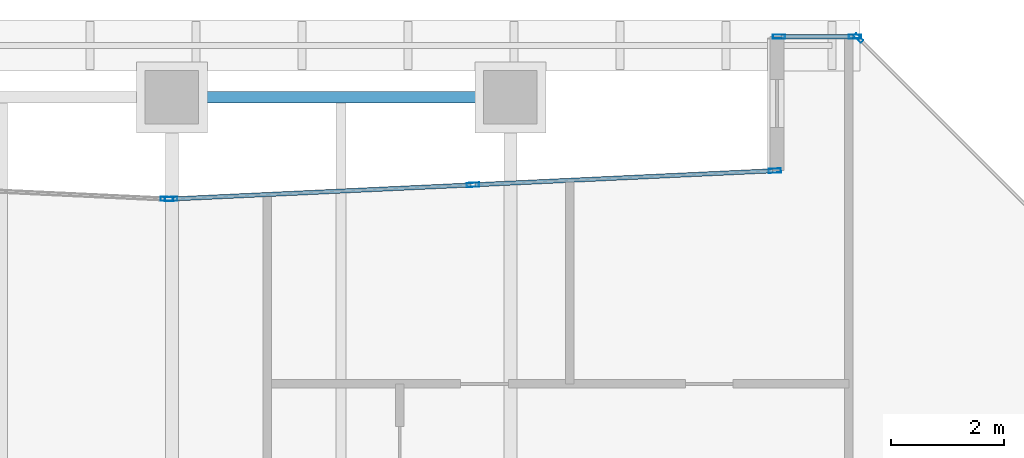
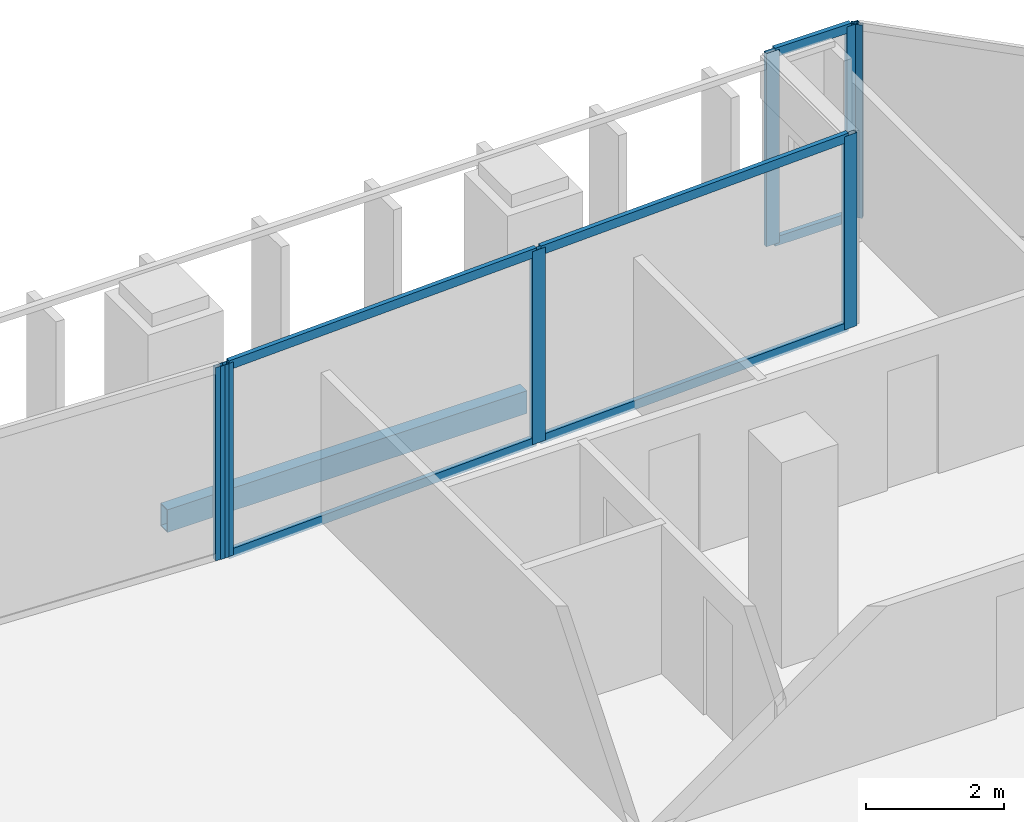
# One storey, part 24 of 39: 13 members, 1 beam, 4 elements without a shape of their own.
"""IFC4 building model written with IfcOpenShell, lengths in metres."""

from ifc_helpers import new_model, si_unit, direction, frame, origin, origin_2d, place, context, subcontext, project, spatial, hollow_rectangle, extrude, material, layer, layer_set, material_profile, profile_set, type_object, element, aggregate, save


model = new_model("IFC4")

# Units and contexts
model_context = context("Model", 3, precision=1e-05, world=origin(), true_north=direction((0.0, 1.0)))
body_context = subcontext(model_context, "Body", "Model", "MODEL_VIEW")
ifc_project = project(units=[si_unit("LENGTHUNIT", "METRE"), si_unit("AREAUNIT", "SQUARE_METRE"), si_unit("VOLUMEUNIT", "CUBIC_METRE"), si_unit("PLANEANGLEUNIT", "RADIAN"), si_unit("MASSUNIT", "GRAM", prefix="KILO")], contexts=[model_context])

# Site, building, storey
site_placement = place(None, origin())
site = spatial("IfcSite", under=ifc_project, at=site_placement, CompositionType="ELEMENT")
building_placement = place(site_placement, origin())
building = spatial("IfcBuilding", under=site, at=building_placement, Name="Tanjung Sevakor Pilgrim Tower", CompositionType="ELEMENT")
storey_placement = place(building_placement, frame((0.0, 0.0, 112.199951171875)))
storey = spatial("IfcBuildingStorey", under=building, at=storey_placement, Name="L31", CompositionType="ELEMENT", Elevation=112.199951171875)

# Beam
ifc_material_1 = material(Name="Steel S355J2", Category="steel")
ifc_material_profile_1 = material_profile(ifc_material_1, hollow_rectangle(XDim=0.199951171875, YDim=0.39990234375, WallThickness=0.01611328125, at=origin_2d()))
ifc_profile_set_1 = profile_set([ifc_material_profile_1], Name="Steel S355J2")
beam_type = type_object("IfcBeamType", Name="BM-B-SP2-RHS_400x200x16", PredefinedType="SPANDREL", material=ifc_profile_set_1)
beam_placement = place(storey_placement, frame((84.0, 56.39990234375, -0.419921875), z_axis=(1.0, 0.0, 0.0), x_axis=(0.0, 1.0, 0.0)))
element("IfcBeam", 1, at=beam_placement, inside=storey, type_object=beam_type, Name="L31 Spandrel MAIN N-18", PredefinedType="SPANDREL", context=body_context, shape_type="SweptSolid", body=[
    extrude(hollow_rectangle(XDim=0.199951171875, YDim=0.39990234375, WallThickness=0.01611328125, at=origin_2d()), origin(), (0.0, 0.0, 1.0), 6.0),
])

# Curtain wall, member
ifc_material_2 = material(Name="Aluminium 6063-T6 and Low-E Glass", Category="aluminium")
ifc_layer_1 = layer(ifc_material_2, 0.179931640625)
ifc_layer_set_1 = layer_set([ifc_layer_1], Name="CW-SYS-CHAM")
curtain_wall_type_1 = type_object("IfcCurtainWallType", Name="CW-SYS-CHAM", PredefinedType="NOTDEFINED", material=ifc_layer_set_1)
curtain_wall_1_placement = place(storey_placement, origin())
curtain_wall_1 = element("IfcCurtainWall", 2, at=curtain_wall_1_placement, inside=storey, type_object=curtain_wall_type_1, Name="L31 Curtain Wall CW-CHM-L31-MAIN-17", PredefinedType="NOTDEFINED")
ifc_material_3 = material(Name="Aluminium 6063-T6", Category="aluminium")
ifc_material_profile_2 = material_profile(ifc_material_3, hollow_rectangle(XDim=0.06494140625, YDim=0.179931640625, WallThickness=0.00390625, at=origin_2d()))
ifc_profile_set_2 = profile_set([ifc_material_profile_2], Name="Aluminium 6063-T6")
member_type_1 = type_object("IfcMemberType", Name="TYPE-CWM-1", PredefinedType="MULLION", material=ifc_profile_set_2)
member_1_placement = place(storey_placement, frame((96.171142578125, 57.451904296875, 0.0), z_axis=(0.0, 0.0, 1.0), x_axis=(-0.707106781187, -0.707106781187, 0.0)))
member_1 = element("IfcMember", 3, at=member_1_placement, type_object=member_type_1, Name="CW-CHM mullion 2", PredefinedType="MULLION", context=body_context, shape_type="SweptSolid", body=[
    extrude(hollow_rectangle(XDim=0.06494140625, YDim=0.179931640625, WallThickness=0.00390625, at=origin_2d()), origin(), (0.0, 0.0, 1.0), 3.41015625),
])
aggregate(curtain_wall_1, [member_1])

# Curtain wall, members
ifc_material_4 = material(Name="Aluminium 6063-T6 and Low-E Glass", Category="aluminium")
ifc_layer_2 = layer(ifc_material_4, 0.199951171875)
ifc_layer_set_2 = layer_set([ifc_layer_2], Name="CW-SYS-PRAY")
curtain_wall_type_2 = type_object("IfcCurtainWallType", Name="CW-SYS-PRAY", PredefinedType="NOTDEFINED", material=ifc_layer_set_2)
curtain_wall_2_placement = place(storey_placement, origin())
curtain_wall_2 = element("IfcCurtainWall", 4, at=curtain_wall_2_placement, inside=storey, type_object=curtain_wall_type_2, Name="L31 Curtain Wall CW-PRY-L31-18", PredefinedType="NOTDEFINED")
ifc_material_5 = material(Name="Aluminium 6063-T6", Category="aluminium")
ifc_material_profile_3 = material_profile(ifc_material_5, hollow_rectangle(XDim=0.074951171875, YDim=0.219970703125, WallThickness=0.0048828125, at=origin_2d()))
ifc_profile_set_3 = profile_set([ifc_material_profile_3], Name="Aluminium 6063-T6")
member_type_2 = type_object("IfcMemberType", Name="TYPE-CWM-2", PredefinedType="MULLION", material=ifc_profile_set_3)
member_2_placement = place(storey_placement, frame((96.110595703125, 57.47509765625, 0.0), z_axis=(0.0, 0.0, 1.0), x_axis=(0.0, -1.0, 0.0)))
member_2 = element("IfcMember", 5, at=member_2_placement, type_object=member_type_2, Name="CW-PRY mullion 1", PredefinedType="MULLION", context=body_context, shape_type="SweptSolid", body=[
    extrude(hollow_rectangle(XDim=0.074951171875, YDim=0.219970703125, WallThickness=0.0048828125, at=origin_2d()), origin(), (0.0, 0.0, 1.0), 3.41015625),
])
member_3_placement = place(storey_placement, frame((94.762451171875, 57.47509765625, 0.0), z_axis=(0.0, 0.0, 1.0), x_axis=(0.0, -1.0, 0.0)))
member_3 = element("IfcMember", 6, at=member_3_placement, type_object=member_type_2, Name="CW-PRY mullion 2", PredefinedType="MULLION", context=body_context, shape_type="SweptSolid", body=[
    extrude(hollow_rectangle(XDim=0.074951171875, YDim=0.219970703125, WallThickness=0.0048828125, at=origin_2d()), origin(), (0.0, 0.0, 1.0), 3.41015625),
])

curtain_wall_3_placement = place(storey_placement, origin())
curtain_wall_3 = element("IfcCurtainWall", 7, at=curtain_wall_3_placement, inside=storey, type_object=curtain_wall_type_2, Name="L31 Curtain Wall CW-PRY-L31-20", PredefinedType="NOTDEFINED")
member_4_placement = place(storey_placement, frame((94.6875, 55.098876953125, 0.0), z_axis=(0.0, 0.0, 1.0), x_axis=(0.046890361139, -0.998900042062, 0.0)))
member_4 = element("IfcMember", 8, at=member_4_placement, type_object=member_type_2, Name="CW-PRY mullion 1", PredefinedType="MULLION", context=body_context, shape_type="SweptSolid", body=[
    extrude(hollow_rectangle(XDim=0.074951171875, YDim=0.219970703125, WallThickness=0.0048828125, at=origin_2d()), origin(), (0.0, 0.0, 1.0), 3.41015625),
])
member_5_placement = place(storey_placement, frame((89.33740234375, 54.847900390625, 0.0), z_axis=(0.0, 0.0, 1.0), x_axis=(0.046890361139, -0.998900042062, 0.0)))
member_5 = element("IfcMember", 9, at=member_5_placement, type_object=member_type_2, Name="CW-PRY mullion 2", PredefinedType="MULLION", context=body_context, shape_type="SweptSolid", body=[
    extrude(hollow_rectangle(XDim=0.074951171875, YDim=0.219970703125, WallThickness=0.0048828125, at=origin_2d()), origin(), (0.0, 0.0, 1.0), 3.41015625),
])
member_6_placement = place(storey_placement, frame((83.987548828125, 54.5966796875, 0.0), z_axis=(0.0, 0.0, 1.0), x_axis=(0.046890361139, -0.998900042062, 0.0)))
member_6 = element("IfcMember", 10, at=member_6_placement, type_object=member_type_2, Name="CW-PRY mullion 3", PredefinedType="MULLION", context=body_context, shape_type="SweptSolid", body=[
    extrude(hollow_rectangle(XDim=0.074951171875, YDim=0.219970703125, WallThickness=0.0048828125, at=origin_2d()), origin(), (0.0, 0.0, 1.0), 3.41015625),
])

# Curtain wall, member
curtain_wall_4_placement = place(storey_placement, origin())
curtain_wall_4 = element("IfcCurtainWall", 11, at=curtain_wall_4_placement, inside=storey, type_object=curtain_wall_type_2, Name="L31 Curtain Wall CW-PRY-L31-21", PredefinedType="NOTDEFINED")
member_7_placement = place(storey_placement, frame((83.91259765625, 54.5966796875, 0.0), z_axis=(0.0, 0.0, 1.0), x_axis=(-0.046889499825, -0.998900082494, 0.0)))
member_7 = element("IfcMember", 12, at=member_7_placement, type_object=member_type_2, Name="CW-PRY mullion 1", PredefinedType="MULLION", context=body_context, shape_type="SweptSolid", body=[
    extrude(hollow_rectangle(XDim=0.074951171875, YDim=0.219970703125, WallThickness=0.0048828125, at=origin_2d()), origin(), (0.0, 0.0, 1.0), 3.41015625),
])
aggregate(curtain_wall_4, [member_7])

# Member
ifc_material_6 = material(Name="Aluminium 6063-T6", Category="aluminium")
ifc_material_profile_4 = material_profile(ifc_material_6, hollow_rectangle(XDim=0.074951171875, YDim=0.159912109375, WallThickness=0.00439453125, at=origin_2d()))
ifc_profile_set_4 = profile_set([ifc_material_profile_4], Name="Aluminium 6063-T6")
member_type_3 = type_object("IfcMemberType", Name="TYPE-CWT-2", PredefinedType="USERDEFINED", material=ifc_profile_set_4)
member_8_placement = place(storey_placement, frame((96.0732421875, 57.47509765625, 0.03759765625), z_axis=(-1.0, 0.0, 0.0), x_axis=(0.0, -1.0, 0.0)))
member_8 = element("IfcMember", 13, at=member_8_placement, type_object=member_type_3, Name="CW-PRY transom 1.1", ObjectType="TRANSOM", PredefinedType="USERDEFINED", context=body_context, shape_type="SweptSolid", body=[
    extrude(hollow_rectangle(XDim=0.074951171875, YDim=0.159912109375, WallThickness=0.00439453125, at=origin_2d()), origin(), (0.0, 0.0, 1.0), 1.273193359375),
])

member_9_placement = place(storey_placement, frame((96.0732421875, 57.47509765625, 3.37255859375), z_axis=(-1.0, 0.0, 0.0), x_axis=(0.0, -1.0, 0.0)))
member_9 = element("IfcMember", 14, at=member_9_placement, type_object=member_type_3, Name="CW-PRY transom 1.2", ObjectType="TRANSOM", PredefinedType="USERDEFINED", context=body_context, shape_type="SweptSolid", body=[
    extrude(hollow_rectangle(XDim=0.074951171875, YDim=0.159912109375, WallThickness=0.00439453125, at=origin_2d()), origin(), (0.0, 0.0, 1.0), 1.273193359375),
])

aggregate(curtain_wall_2, [member_2, member_3, member_8, member_9])

member_10_placement = place(storey_placement, frame((94.650146484375, 55.09716796875, 0.03759765625), z_axis=(-0.998900638962, -0.046877643722, 0.0), x_axis=(0.046877643722, -0.998900638962, 0.0)))
member_10 = element("IfcMember", 15, at=member_10_placement, type_object=member_type_3, Name="CW-PRY transom 1.1", ObjectType="TRANSOM", PredefinedType="USERDEFINED", context=body_context, shape_type="SweptSolid", body=[
    extrude(hollow_rectangle(XDim=0.074951171875, YDim=0.159912109375, WallThickness=0.00439453125, at=origin_2d()), origin(), (0.0, 0.0, 1.0), 5.281005859375),
])

member_11_placement = place(storey_placement, frame((94.650146484375, 55.09716796875, 3.37255859375), z_axis=(-0.998900638962, -0.046877643722, 0.0), x_axis=(0.046877643722, -0.998900638962, 0.0)))
member_11 = element("IfcMember", 16, at=member_11_placement, type_object=member_type_3, Name="CW-PRY transom 1.2", ObjectType="TRANSOM", PredefinedType="USERDEFINED", context=body_context, shape_type="SweptSolid", body=[
    extrude(hollow_rectangle(XDim=0.074951171875, YDim=0.159912109375, WallThickness=0.00439453125, at=origin_2d()), origin(), (0.0, 0.0, 1.0), 5.281005859375),
])

member_12_placement = place(storey_placement, frame((89.300048828125, 54.845947265625, 0.03759765625), z_axis=(-0.998900638962, -0.046877643722, 0.0), x_axis=(0.046877643722, -0.998900638962, 0.0)))
member_12 = element("IfcMember", 17, at=member_12_placement, type_object=member_type_3, Name="CW-PRY transom 2.1", ObjectType="TRANSOM", PredefinedType="USERDEFINED", context=body_context, shape_type="SweptSolid", body=[
    extrude(hollow_rectangle(XDim=0.074951171875, YDim=0.159912109375, WallThickness=0.00439453125, at=origin_2d()), origin(), (0.0, 0.0, 1.0), 5.281005859375),
])

member_13_placement = place(storey_placement, frame((89.300048828125, 54.845947265625, 3.37255859375), z_axis=(-0.998900638962, -0.046877643722, 0.0), x_axis=(0.046877643722, -0.998900638962, 0.0)))
member_13 = element("IfcMember", 18, at=member_13_placement, type_object=member_type_3, Name="CW-PRY transom 2.2", ObjectType="TRANSOM", PredefinedType="USERDEFINED", context=body_context, shape_type="SweptSolid", body=[
    extrude(hollow_rectangle(XDim=0.074951171875, YDim=0.159912109375, WallThickness=0.00439453125, at=origin_2d()), origin(), (0.0, 0.0, 1.0), 5.281005859375),
])

aggregate(curtain_wall_3, [member_4, member_5, member_6, member_10, member_11, member_12, member_13])

save(model, "model.ifc")
